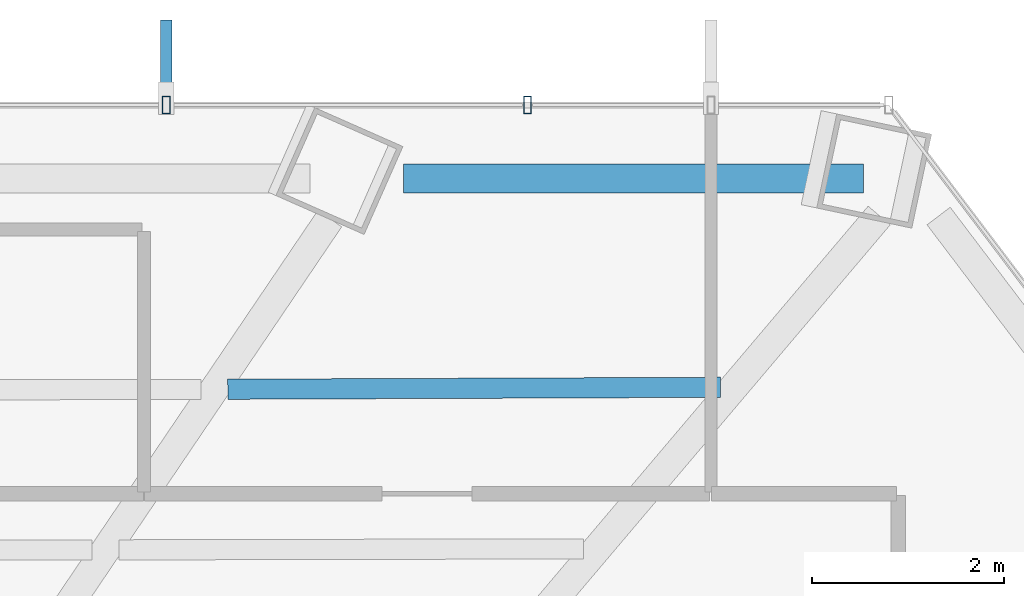
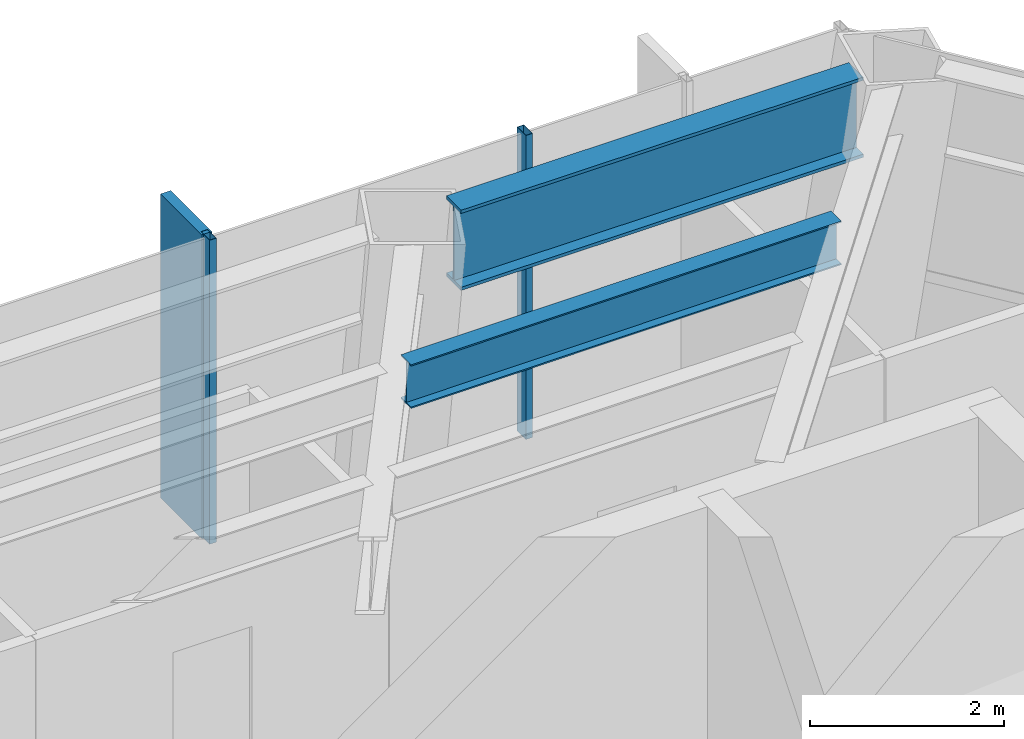
# One storey, part 17 of 27: 3 members, 2 beams, 1 element without a shape of its own.
"""IFC4 building model written with IfcOpenShell, lengths in metres."""

from ifc_helpers import new_model, si_unit, direction, frame, origin, origin_2d, place, context, subcontext, project, spatial, rectangle, hollow_rectangle, i_section, extrude, material, layer, layer_set, material_profile, profile_set, type_object, element, aggregate, save


model = new_model("IFC4")

# Units and contexts
model_context = context("Model", 3, precision=1e-05, world=origin(), true_north=direction((0.0, 1.0)))
body_context = subcontext(model_context, "Body", "Model", "MODEL_VIEW")
ifc_project = project(units=[si_unit("LENGTHUNIT", "METRE"), si_unit("AREAUNIT", "SQUARE_METRE"), si_unit("VOLUMEUNIT", "CUBIC_METRE"), si_unit("PLANEANGLEUNIT", "RADIAN"), si_unit("MASSUNIT", "GRAM", prefix="KILO")], contexts=[model_context])

# Site, building, storey
site_placement = place(None, origin())
site = spatial("IfcSite", under=ifc_project, at=site_placement, CompositionType="ELEMENT")
building_placement = place(site_placement, origin())
building = spatial("IfcBuilding", under=site, at=building_placement, Name="Zarrinselat Tower", CompositionType="ELEMENT")
storey_placement = place(building_placement, frame((0.0, 0.0, 47.93994140625)))
storey = spatial("IfcBuildingStorey", under=building, at=storey_placement, Name="L11", CompositionType="ELEMENT", Elevation=47.93994140625)

# Beams
ifc_material_1 = material(Name="Steel S460M", Category="steel")
ifc_material_profile_1 = material_profile(ifc_material_1, i_section(OverallWidth=0.302001953125, OverallDepth=1.008056640625, WebThickness=0.02099609375, FlangeThickness=0.0400390625, at=origin_2d()), Name="HEM 1000")
ifc_profile_set_1 = profile_set([ifc_material_profile_1], Name="Steel S460M")
beam_type_1 = type_object("IfcBeamType", Name="BM-HEM1000", PredefinedType="BEAM", material=ifc_profile_set_1)
beam_1_placement = place(storey_placement, frame((45.30224609375, 49.27783203125, 3.316162109375), z_axis=(1.0, 0.0, 0.0), x_axis=(0.0, 1.0, 0.0)))
element("IfcBeam", 1, at=beam_1_placement, inside=storey, type_object=beam_type_1, Name="L11 Perimeter Spandrel Girder SP01", PredefinedType="BEAM", context=body_context, shape_type="SweptSolid", body=[
    extrude(i_section(OverallWidth=0.302001953125, OverallDepth=1.008056640625, WebThickness=0.02099609375, FlangeThickness=0.0400390625, at=origin_2d()), origin(), (0.0, 0.0, 1.0), 4.783935546875),
])
ifc_material_2 = material(Name="Steel S355J2", Category="steel")
ifc_material_profile_2 = material_profile(ifc_material_2, i_section(OverallWidth=0.2099609375, OverallDepth=0.550048828125, WebThickness=0.010986328125, FlangeThickness=0.01708984375, at=origin_2d()), Name="IPE 550")
ifc_profile_set_2 = profile_set([ifc_material_profile_2], Name="Steel S355J2")
beam_type_2 = type_object("IfcBeamType", Name="BM-IPE550", PredefinedType="JOIST", material=ifc_profile_set_2)
beam_2_placement = place(storey_placement, frame((43.4716796875, 47.087158203125, 3.545166015625), z_axis=(0.999992184224, 0.003953667951, 0.0), x_axis=(-0.003953667951, 0.999992184224, 0.0)))
element("IfcBeam", 2, at=beam_2_placement, inside=storey, type_object=beam_type_2, Name="L11 Composite Floor Joist 7-1", PredefinedType="JOIST", context=body_context, shape_type="SweptSolid", body=[
    extrude(i_section(OverallWidth=0.2099609375, OverallDepth=0.550048828125, WebThickness=0.010986328125, FlangeThickness=0.01708984375, at=origin_2d()), origin(), (0.0, 0.0, 1.0), 5.125244140625),
])

# Curtain wall, members
ifc_material_3 = material(Name="Extruded Aluminium Alloy EN AW-6063 T6", Category="aluminium")
ifc_layer = layer(ifc_material_3, 0.18505859375)
ifc_layer_set = layer_set([ifc_layer], Name="Extruded Aluminium Alloy EN AW-6063 T6")
curtain_wall_type = type_object("IfcCurtainWallType", Name="CWS-OFF", PredefinedType="NOTDEFINED", material=ifc_layer_set)
curtain_wall_placement = place(storey_placement, origin())
curtain_wall = element("IfcCurtainWall", 3, at=curtain_wall_placement, inside=storey, type_object=curtain_wall_type, Name="L11 Unitised Curtain Wall CW-L11-E01", PredefinedType="NOTDEFINED")
ifc_material_4 = material(Name="Extruded Aluminium Alloy EN AW-6063 T6", Category="aluminium")
ifc_material_profile_3 = material_profile(ifc_material_4, hollow_rectangle(XDim=0.080078125, YDim=0.179931640625, WallThickness=0.0048828125, at=origin_2d()), Name="RHS 180x80x5")
ifc_profile_set_3 = profile_set([ifc_material_profile_3], Name="Extruded Aluminium Alloy EN AW-6063 T6")
member_type_1 = type_object("IfcMemberType", Name="MEM-CW-MUL", PredefinedType="MULLION", material=ifc_profile_set_3)
member_1_placement = place(storey_placement, frame((46.591064453125, 50.04443359375, 0.0), z_axis=(0.0, 0.0, 1.0), x_axis=(-1.0, 0.0, 0.0)))
member_1 = element("IfcMember", 4, at=member_1_placement, type_object=member_type_1, Name="CW-L11-E01 Mullion 2", PredefinedType="MULLION", context=body_context, shape_type="SweptSolid", body=[
    extrude(hollow_rectangle(XDim=0.080078125, YDim=0.179931640625, WallThickness=0.0048828125, at=origin_2d()), origin(), (0.0, 0.0, 1.0), 3.820068359375),
])
member_2_placement = place(storey_placement, frame((42.83251953125, 50.04443359375, 0.0), z_axis=(0.0, 0.0, 1.0), x_axis=(-1.0, 0.0, 0.0)))
member_2 = element("IfcMember", 5, at=member_2_placement, type_object=member_type_1, Name="CW-L11-E01 Mullion 3", PredefinedType="MULLION", context=body_context, shape_type="SweptSolid", body=[
    extrude(hollow_rectangle(XDim=0.080078125, YDim=0.179931640625, WallThickness=0.0048828125, at=origin_2d()), origin(), (0.0, 0.0, 1.0), 3.820068359375),
])
ifc_material_5 = material(Name="Honed Cream Travertine Stone", Category="masonry")
ifc_material_profile_4 = material_profile(ifc_material_5, rectangle(XDim=0.1201171875, YDim=0.85009765625, at=origin_2d()), Name="FIN 850x120")
ifc_profile_set_4 = profile_set([ifc_material_profile_4], Name="Honed Cream Travertine Stone")
member_type_2 = type_object("IfcMemberType", Name="MEM-STONE-FIN", PredefinedType="USERDEFINED", material=ifc_profile_set_4)
member_3_placement = place(storey_placement, frame((42.83251953125, 50.50439453125, 0.0), z_axis=(0.0, 0.0, 1.0), x_axis=(1.0, 0.0, 0.0)))
member_3 = element("IfcMember", 6, at=member_3_placement, type_object=member_type_2, Name="L11 Stone Shading Fin CW-L11-E01-03", ObjectType="FIN", PredefinedType="USERDEFINED", context=body_context, shape_type="SweptSolid", body=[
    extrude(rectangle(XDim=0.1201171875, YDim=0.85009765625, at=origin_2d()), origin(), (0.0, 0.0, 1.0), 3.820068359375),
])
aggregate(curtain_wall, [member_1, member_2, member_3])

save(model, "model.ifc")
